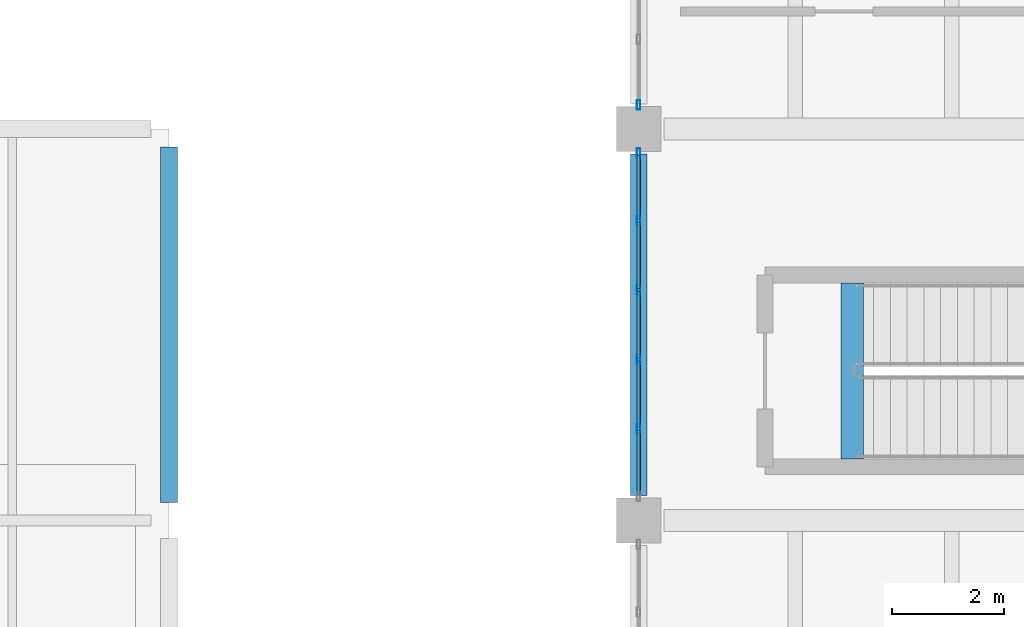
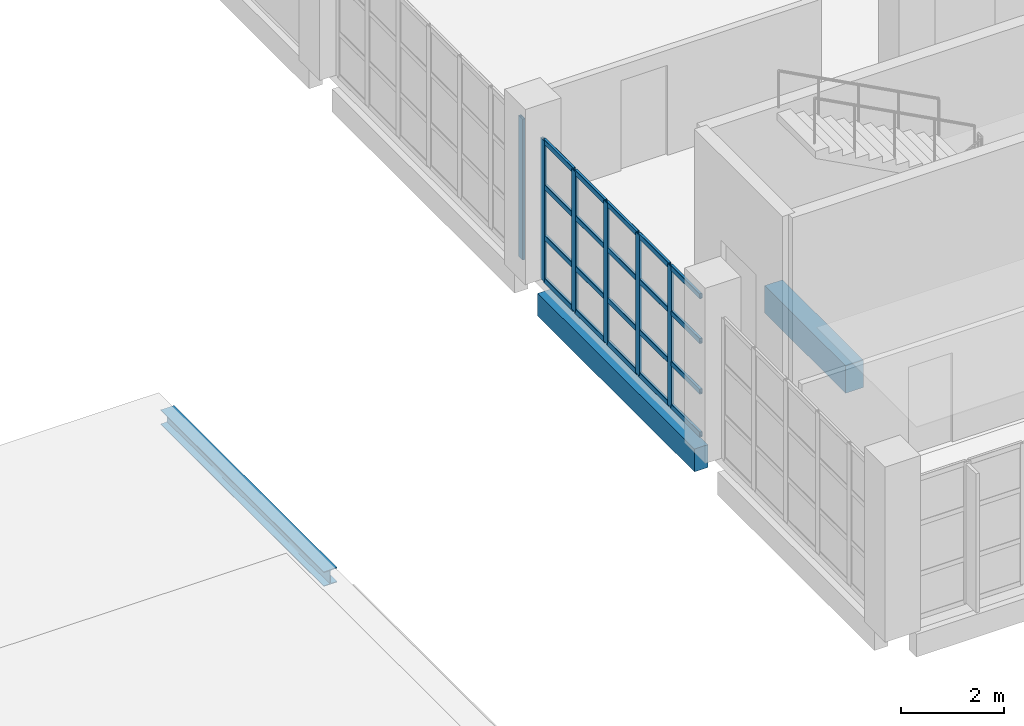
# One storey, part 15 of 177: 26 members, 3 beams, 2 elements without a shape of their own.
"""IFC4 building model written with IfcOpenShell, lengths in metres."""

import ifcopenshell
import ifcopenshell.guid

model = None  # the IFC model being written
_history = None  # IfcOwnerHistory: only IFC2X3 demands one
_inside = {}  # id of a spatial element -> (the spatial element, [elements in it])
_under = {}  # id of a project, library or spatial element -> (it, [spatial elements below it])
_declared = {}  # id of a project -> (the project, [libraries it declares])
_typed = {}  # id of a type object -> (the type object, [elements of that type])
_made_of = {}  # id of a material, layer set ... -> (it, [elements and type objects made of it])


def new_model(schema):
    """Start an empty IFC model of exactly this schema.

    Asked for "IFC4X3", IfcOpenShell would pick the latest addendum, in which some entities
    have other attributes; the version numbers below select the first issue.
    IFC2X3 requires an IfcOwnerHistory on every rooted entity: one is made here for all.
    """
    global model, _history
    if schema == "IFC4X3":
        model = ifcopenshell.file(schema_version=(4, 3, 0, 0))
    else:
        model = ifcopenshell.file(schema=schema)
    _inside.clear()
    _under.clear()
    _declared.clear()
    _typed.clear()
    _made_of.clear()
    _history = None
    if model.schema == "IFC2X3":
        org = make("IfcOrganization", Name="unknown")
        user = make(
            "IfcPersonAndOrganization",
            ThePerson=make("IfcPerson", FamilyName="unknown"),
            TheOrganization=org,
        )
        app = make(
            "IfcApplication",
            ApplicationDeveloper=org,
            Version="unknown",
            ApplicationFullName="unknown",
            ApplicationIdentifier="unknown",
        )
        _history = make(
            "IfcOwnerHistory",
            OwningUser=user,
            OwningApplication=app,
            ChangeAction="ADDED",
            CreationDate=0,
        )
    return model


def make(cls, **values):
    """One entity of the class cls with the attributes given. An attribute that is None is left unset."""
    return model.create_entity(
        cls, **{name: value for name, value in values.items() if value is not None}
    )


def rooted(cls, **values):
    """An entity with a GlobalId (a new one), such as an element, a storey or a relation."""
    return make(cls, GlobalId=ifcopenshell.guid.new(), OwnerHistory=_history, **values)


def si_unit(unit_type, name, prefix=None):
    """IfcSIUnit, for example si_unit("LENGTHUNIT", "METRE", prefix="MILLI")."""
    return make("IfcSIUnit", UnitType=unit_type, Prefix=prefix, Name=name)


def assignment(units):
    """IfcUnitAssignment: the units of a project."""
    return None if units is None else make("IfcUnitAssignment", Units=units)


def point(xyz):
    """IfcCartesianPoint."""
    return None if xyz is None else make("IfcCartesianPoint", Coordinates=xyz)


def direction(xyz):
    """IfcDirection."""
    return None if xyz is None else make("IfcDirection", DirectionRatios=xyz)


def frame(location, z_axis=None, x_axis=None):
    """IfcAxis2Placement3D, a coordinate frame: its origin and axes. An axis left out is left unset."""
    return make(
        "IfcAxis2Placement3D",
        Location=point(location),
        Axis=direction(z_axis),
        RefDirection=direction(x_axis),
    )


def frame_2d(location, x_axis=None):
    """IfcAxis2Placement2D, a coordinate frame in the plane: its origin and x axis."""
    return make(
        "IfcAxis2Placement2D", Location=point(location), RefDirection=direction(x_axis)
    )


def origin():
    """The frame at (0, 0, 0) with its axes left unset."""
    return frame((0.0, 0.0, 0.0))


def origin_2d():
    """The frame at (0, 0) in the plane with its x axis left unset."""
    return frame_2d((0.0, 0.0))


def place(relative_to, where):
    """IfcLocalPlacement: puts the frame where relative to a parent placement (None: the world)."""
    return make(
        "IfcLocalPlacement", PlacementRelTo=relative_to, RelativePlacement=where
    )


def context(
    kind, dimensions, precision=None, world=None, true_north=None, identifier=None
):
    """IfcGeometricRepresentationContext, for example the 3D "Model" context."""
    return make(
        "IfcGeometricRepresentationContext",
        ContextIdentifier=identifier,
        ContextType=kind,
        CoordinateSpaceDimension=dimensions,
        Precision=precision,
        WorldCoordinateSystem=world,
        TrueNorth=true_north,
    )


def subcontext(parent, identifier, kind, view, scale=None):
    """IfcGeometricRepresentationSubContext, for example "Body" below "Model"."""
    return make(
        "IfcGeometricRepresentationSubContext",
        ContextIdentifier=identifier,
        ContextType=kind,
        ParentContext=parent,
        TargetScale=scale,
        TargetView=view,
    )


def project(units=None, contexts=None):
    """IfcProject with its units and contexts."""
    return rooted(
        "IfcProject",
        Name="project",
        RepresentationContexts=contexts,
        UnitsInContext=assignment(units),
    )


def spatial(cls, under=None, at=None, **own):
    """A site, building, storey or space (cls), placed at a placement, below another one or the project."""
    s = rooted(cls, ObjectPlacement=at, **own)
    if under is not None:
        _under.setdefault(under.id(), (under, []))[1].append(s)
    return s


def profile(cls, at=None, kind="AREA", **sizes):
    """A parametric profile (cls). Its sizes go by their IFC names, for example OverallWidth=200.0."""
    return make(cls, ProfileType=kind, Position=at, **sizes)


def rectangle(**sizes):
    """IfcRectangleProfileDef."""
    return profile("IfcRectangleProfileDef", **sizes)


def hollow_rectangle(**sizes):
    """IfcRectangleHollowProfileDef."""
    return profile("IfcRectangleHollowProfileDef", **sizes)


def i_section(**sizes):
    """IfcIShapeProfileDef."""
    return profile("IfcIShapeProfileDef", **sizes)


def extrude(swept, where, along, depth):
    """IfcExtrudedAreaSolid: the profile swept, set in the frame where, extruded along a direction by depth."""
    return make(
        "IfcExtrudedAreaSolid",
        SweptArea=swept,
        Position=where,
        ExtrudedDirection=direction(along),
        Depth=depth,
    )


def shape(context_of_items, identifier, shape_type, items):
    """IfcShapeRepresentation: the items that make up one representation, for example the "Body"."""
    return make(
        "IfcShapeRepresentation",
        ContextOfItems=context_of_items,
        RepresentationIdentifier=identifier,
        RepresentationType=shape_type,
        Items=items,
    )


def material(Name=None, Category=None):
    """IfcMaterial."""
    return make("IfcMaterial", Name=Name, Category=Category)


def layer(
    of_material, thickness, ventilated=None, Name=None, Category=None, Priority=None
):
    """IfcMaterialLayer: one layer of a wall or slab, of a material (None: an air gap)."""
    return make(
        "IfcMaterialLayer",
        Material=of_material,
        LayerThickness=thickness,
        IsVentilated=ventilated,
        Name=Name,
        Category=Category,
        Priority=Priority,
    )


def layer_set(layers, Name=None):
    """IfcMaterialLayerSet."""
    return make("IfcMaterialLayerSet", MaterialLayers=layers, LayerSetName=Name)


def material_profile(
    of_material, cross_section, Name=None, Category=None, Priority=None
):
    """IfcMaterialProfile: a cross section and its material."""
    return make(
        "IfcMaterialProfile",
        Name=Name,
        Material=of_material,
        Profile=cross_section,
        Priority=Priority,
        Category=Category,
    )


def profile_set(profiles, Name=None, composite=None):
    """IfcMaterialProfileSet."""
    return make(
        "IfcMaterialProfileSet",
        Name=Name,
        MaterialProfiles=profiles,
        CompositeProfile=composite,
    )


def made_of(thing, what):
    """Note that an element or type object is made of a material, layer set ...; save() writes the relation."""
    if what is not None:
        _made_of.setdefault(what.id(), (what, []))[1].append(thing)
    return thing


def type_object(cls, material=None, **own):
    """A type object (cls), such as IfcWallType, which elements share."""
    return made_of(rooted(cls, **own), material)


def element(
    cls,
    number,
    at=None,
    inside=None,
    cuts=None,
    type_object=None,
    material=None,
    context=None,
    identifier="Body",
    shape_type=None,
    held_by="IfcProductDefinitionShape",
    body=None,
    shapes=None,
    **own,
):
    """One element of the class cls, such as IfcWall. Its Tag is "e" and its number.

    at: its placement. inside: the storey or other place that contains it. cuts: it is an
    opening in that element (IfcRelVoidsElement). A single representation is given by context,
    identifier, shape_type and body (its items); several are given by shapes. held_by: the class
    of the entity that holds the representations. save() writes the other relations.
    """
    e = rooted(cls, Tag="e%d" % number, ObjectPlacement=at, **own)
    if body is not None:
        shapes = [shape(context, identifier, shape_type, body)]
    if shapes is not None:
        e.Representation = make(held_by, Representations=shapes)
    if inside is not None:
        _inside.setdefault(inside.id(), (inside, []))[1].append(e)
    if cuts is not None:
        rooted(
            "IfcRelVoidsElement", RelatingBuildingElement=cuts, RelatedOpeningElement=e
        )
    if type_object is not None:
        _typed.setdefault(type_object.id(), (type_object, []))[1].append(e)
    return made_of(e, material)


def aggregate(whole, parts):
    """IfcRelAggregates: a whole, such as a stair, and the parts it consists of."""
    return rooted("IfcRelAggregates", RelatingObject=whole, RelatedObjects=parts)


def save(model, path):
    """Write the relations noted so far, then the file.

    IfcRelAggregates (storeys below a building ...), IfcRelContainedInSpatialStructure (elements
    in a storey), IfcRelDefinesByType, IfcRelAssociatesMaterial and IfcRelDeclares: one each for
    every whole, place, type object, material and project.
    """
    for whole, parts in _under.values():
        aggregate(whole, parts)
    for where, things in _inside.values():
        rooted(
            "IfcRelContainedInSpatialStructure",
            RelatedElements=things,
            RelatingStructure=where,
        )
    for kind, things in _typed.values():
        rooted("IfcRelDefinesByType", RelatedObjects=things, RelatingType=kind)
    for what, things in _made_of.values():
        rooted("IfcRelAssociatesMaterial", RelatedObjects=things, RelatingMaterial=what)
    for by, libraries in _declared.values():
        rooted("IfcRelDeclares", RelatingContext=by, RelatedDefinitions=libraries)
    model.write(path)


model = new_model("IFC4")

# Units and contexts
model_context = context("Model", 3, precision=1e-05, world=origin(), true_north=direction((0.0, 1.0)))
body_context = subcontext(model_context, "Body", "Model", "MODEL_VIEW")
ifc_project = project(units=[si_unit("LENGTHUNIT", "METRE"), si_unit("AREAUNIT", "SQUARE_METRE"), si_unit("VOLUMEUNIT", "CUBIC_METRE"), si_unit("PLANEANGLEUNIT", "RADIAN"), si_unit("MASSUNIT", "GRAM", prefix="KILO"), si_unit("THERMODYNAMICTEMPERATUREUNIT", "KELVIN"), si_unit("POWERUNIT", "WATT")], contexts=[model_context])

# Site, building, storey
site_placement = place(None, origin())
site = spatial("IfcSite", under=ifc_project, at=site_placement, CompositionType="ELEMENT")
building_placement = place(site_placement, origin())
building = spatial("IfcBuilding", under=site, at=building_placement, Name="Mavoryth Pier Ferry Terminal", CompositionType="ELEMENT")
storey_placement = place(building_placement, frame((0.0, 0.0, 5.43994140625)))
storey = spatial("IfcBuildingStorey", under=building, at=storey_placement, Name="L01", CompositionType="ELEMENT", Elevation=5.43994140625)

# Beam
ifc_material_1 = material(Name="Concrete C35/45", Category="concrete")
ifc_material_profile_1 = material_profile(ifc_material_1, rectangle(XDim=0.39990234375, YDim=0.64990234375, at=origin_2d()), Name="RC 400x650", Category="concrete")
ifc_profile_set_1 = profile_set([ifc_material_profile_1], Name="Concrete C35/45 - RC 400x650")
beam_type_1 = type_object("IfcBeamType", Name="Girder-RC-400x650", PredefinedType="BEAM", material=ifc_profile_set_1)
beam_1_placement = place(storey_placement, frame((45.820068359375, 8.10009765625, -0.324951171875), z_axis=(0.0, 1.0, 0.0), x_axis=(-1.0, 0.0, 0.0)))
element("IfcBeam", 1, at=beam_1_placement, inside=storey, type_object=beam_type_1, Name="Beam B01-BG05-1584", PredefinedType="BEAM", context=body_context, shape_type="SweptSolid", body=[
    extrude(rectangle(XDim=0.39990234375, YDim=0.64990234375, at=origin_2d()), origin(), (0.0, 0.0, 1.0), 3.14990234375),
])

# Curtain wall, members
ifc_material_2 = material(Name="Anodised Aluminium and Solar-Control Low-E Glass", Category="aluminium")
ifc_layer = layer(ifc_material_2, 0.239990234375, Name="Anodised Aluminium and Solar-Control Low-E Glass", Category="aluminium")
ifc_layer_set = layer_set([ifc_layer], Name="Anodised Aluminium and Solar-Control Low-E Glass - CW-Operations-Mod1200")
curtain_wall_type = type_object("IfcCurtainWallType", Name="CW-Operations-Mod1200", PredefinedType="USERDEFINED", material=ifc_layer_set)
curtain_wall_1_placement = place(storey_placement, origin())
curtain_wall_1 = element("IfcCurtainWall", 2, at=curtain_wall_1_placement, inside=storey, type_object=curtain_wall_type, Name="Curtain Wall CW-0122-121", ObjectType="UNITISED CURTAIN WALL", PredefinedType="USERDEFINED")
ifc_material_3 = material(Name="Anodised Aluminium EN AW-6063", Category="aluminium")
ifc_material_profile_2 = material_profile(ifc_material_3, hollow_rectangle(XDim=0.06005859375, YDim=0.1650390625, WallThickness=0.00390625, InnerFilletRadius=0.00390625, OuterFilletRadius=0.008056640625, at=origin_2d()), Name="AL-MULL 165x60x4", Category="aluminium")
ifc_profile_set_2 = profile_set([ifc_material_profile_2], Name="Anodised Aluminium EN AW-6063 - AL-MULL 165x60x4")
member_type_1 = type_object("IfcMemberType", Name="Mullion-Alum-165x60", PredefinedType="MULLION", material=ifc_profile_set_2)
member_1_placement = place(storey_placement, frame((42.0, 13.570068359375, 0.0), z_axis=(0.0, 0.0, 1.0), x_axis=(1.0, 0.0, 0.0)))
member_1 = element("IfcMember", 3, at=member_1_placement, type_object=member_type_1, Name="CW06 mullion 1", PredefinedType="MULLION", context=body_context, shape_type="SweptSolid", body=[
    extrude(hollow_rectangle(XDim=0.06005859375, YDim=0.1650390625, WallThickness=0.00390625, InnerFilletRadius=0.00390625, OuterFilletRadius=0.008056640625, at=origin_2d()), origin(), (0.0, 0.0, 1.0), 3.344970703125),
])
member_2_placement = place(storey_placement, frame((42.0, 12.360107421875, 0.0), z_axis=(0.0, 0.0, 1.0), x_axis=(1.0, 0.0, 0.0)))
member_2 = element("IfcMember", 4, at=member_2_placement, type_object=member_type_1, Name="CW06 mullion 2", PredefinedType="MULLION", context=body_context, shape_type="SweptSolid", body=[
    extrude(hollow_rectangle(XDim=0.06005859375, YDim=0.1650390625, WallThickness=0.00390625, InnerFilletRadius=0.00390625, OuterFilletRadius=0.008056640625, at=origin_2d()), origin(), (0.0, 0.0, 1.0), 3.344970703125),
])
member_3_placement = place(storey_placement, frame((42.0, 11.1201171875, 0.0), z_axis=(0.0, 0.0, 1.0), x_axis=(1.0, 0.0, 0.0)))
member_3 = element("IfcMember", 5, at=member_3_placement, type_object=member_type_1, Name="CW06 mullion 3", PredefinedType="MULLION", context=body_context, shape_type="SweptSolid", body=[
    extrude(hollow_rectangle(XDim=0.06005859375, YDim=0.1650390625, WallThickness=0.00390625, InnerFilletRadius=0.00390625, OuterFilletRadius=0.008056640625, at=origin_2d()), origin(), (0.0, 0.0, 1.0), 3.344970703125),
])
member_4_placement = place(storey_placement, frame((42.0, 9.8798828125, 0.0), z_axis=(0.0, 0.0, 1.0), x_axis=(1.0, 0.0, 0.0)))
member_4 = element("IfcMember", 6, at=member_4_placement, type_object=member_type_1, Name="CW06 mullion 4", PredefinedType="MULLION", context=body_context, shape_type="SweptSolid", body=[
    extrude(hollow_rectangle(XDim=0.06005859375, YDim=0.1650390625, WallThickness=0.00390625, InnerFilletRadius=0.00390625, OuterFilletRadius=0.008056640625, at=origin_2d()), origin(), (0.0, 0.0, 1.0), 3.344970703125),
])
member_5_placement = place(storey_placement, frame((42.0, 8.639892578125, 0.0), z_axis=(0.0, 0.0, 1.0), x_axis=(1.0, 0.0, 0.0)))
member_5 = element("IfcMember", 7, at=member_5_placement, type_object=member_type_1, Name="CW06 mullion 5", PredefinedType="MULLION", context=body_context, shape_type="SweptSolid", body=[
    extrude(hollow_rectangle(XDim=0.06005859375, YDim=0.1650390625, WallThickness=0.00390625, InnerFilletRadius=0.00390625, OuterFilletRadius=0.008056640625, at=origin_2d()), origin(), (0.0, 0.0, 1.0), 3.344970703125),
])

# Curtain wall, member
curtain_wall_2_placement = place(storey_placement, origin())
curtain_wall_2 = element("IfcCurtainWall", 8, at=curtain_wall_2_placement, inside=storey, type_object=curtain_wall_type, Name="Curtain Wall CW-0122-122", ObjectType="UNITISED CURTAIN WALL", PredefinedType="USERDEFINED")
member_6_placement = place(storey_placement, frame((42.0, 14.429931640625, 0.0), z_axis=(0.0, 0.0, 1.0), x_axis=(1.0, 0.0, 0.0)))
member_6 = element("IfcMember", 9, at=member_6_placement, type_object=member_type_1, Name="CW06 mullion 7", PredefinedType="MULLION", context=body_context, shape_type="SweptSolid", body=[
    extrude(hollow_rectangle(XDim=0.06005859375, YDim=0.1650390625, WallThickness=0.00390625, InnerFilletRadius=0.00390625, OuterFilletRadius=0.008056640625, at=origin_2d()), origin(), (0.0, 0.0, 1.0), 3.344970703125),
])
aggregate(curtain_wall_2, [member_6])

# Beams
ifc_material_profile_3 = material_profile(ifc_material_1, rectangle(XDim=0.300048828125, YDim=0.5400390625, at=origin_2d()), Name="RC 300x540", Category="concrete")
ifc_profile_set_3 = profile_set([ifc_material_profile_3], Name="Concrete C35/45 - RC 300x540")
beam_type_2 = type_object("IfcBeamType", Name="Spandrel-RC-300x540", PredefinedType="SPANDREL", material=ifc_profile_set_3)
beam_2_placement = place(storey_placement, frame((42.0, 7.449951171875, -0.530029296875), z_axis=(0.0, 1.0, 0.0), x_axis=(-1.0, 0.0, 0.0)))
element("IfcBeam", 10, at=beam_2_placement, inside=storey, type_object=beam_type_2, Name="Beam B01-SP02-0535", PredefinedType="SPANDREL", context=body_context, shape_type="SweptSolid", body=[
    extrude(rectangle(XDim=0.300048828125, YDim=0.5400390625, at=origin_2d()), origin(), (0.0, 0.0, 1.0), 6.10009765625),
])
ifc_material_4 = material(Name="Steel S355J2", Category="steel")
ifc_material_profile_4 = material_profile(ifc_material_4, i_section(OverallWidth=0.300048828125, OverallDepth=0.35009765625, WebThickness=0.010009765625, FlangeThickness=0.017578125, FilletRadius=0.027099609375, at=origin_2d()), Name="HEA 360", Category="steel")
ifc_profile_set_4 = profile_set([ifc_material_profile_4], Name="Steel S355J2 - HEA 360")
beam_type_3 = type_object("IfcBeamType", Name="Spandrel-Steel-HEA360", PredefinedType="SPANDREL", material=ifc_profile_set_4)
beam_3_placement = place(storey_placement, frame((33.60009765625, 7.324951171875, -0.3349609375), z_axis=(0.0, 1.0, 0.0), x_axis=(-1.0, 0.0, 0.0)))
element("IfcBeam", 11, at=beam_3_placement, inside=storey, type_object=beam_type_3, Name="Beam B01-SP03-0022", PredefinedType="SPANDREL", context=body_context, shape_type="SweptSolid", body=[
    extrude(i_section(OverallWidth=0.300048828125, OverallDepth=0.35009765625, WebThickness=0.010009765625, FlangeThickness=0.017578125, FilletRadius=0.027099609375, at=origin_2d()), origin(), (0.0, 0.0, 1.0), 6.35009765625),
])

# Member
ifc_material_profile_5 = material_profile(ifc_material_3, hollow_rectangle(XDim=0.06005859375, YDim=0.125, WallThickness=0.00390625, InnerFilletRadius=0.00390625, OuterFilletRadius=0.008056640625, at=origin_2d()), Name="AL-TRAN 125x60x4", Category="aluminium")
ifc_profile_set_5 = profile_set([ifc_material_profile_5], Name="Anodised Aluminium EN AW-6063 - AL-TRAN 125x60x4")
member_type_2 = type_object("IfcMemberType", Name="Transom-Alum-125x60", PredefinedType="USERDEFINED", material=ifc_profile_set_5)
member_7_placement = place(storey_placement, frame((42.0, 13.5400390625, 0.030029296875), z_axis=(0.0, -1.0, 0.0), x_axis=(1.0, 0.0, 0.0)))
member_7 = element("IfcMember", 12, at=member_7_placement, type_object=member_type_2, Name="CW06 transom 1.1", ObjectType="TRANSOM", PredefinedType="USERDEFINED", context=body_context, shape_type="SweptSolid", body=[
    extrude(hollow_rectangle(XDim=0.06005859375, YDim=0.125, WallThickness=0.00390625, InnerFilletRadius=0.00390625, OuterFilletRadius=0.008056640625, at=origin_2d()), origin(), (0.0, 0.0, 1.0), 1.150146484375),
])

member_8_placement = place(storey_placement, frame((42.0, 13.5400390625, 1.050048828125), z_axis=(0.0, -1.0, 0.0), x_axis=(1.0, 0.0, 0.0)))
member_8 = element("IfcMember", 13, at=member_8_placement, type_object=member_type_2, Name="CW06 transom 1.2", ObjectType="TRANSOM", PredefinedType="USERDEFINED", context=body_context, shape_type="SweptSolid", body=[
    extrude(hollow_rectangle(XDim=0.06005859375, YDim=0.125, WallThickness=0.00390625, InnerFilletRadius=0.00390625, OuterFilletRadius=0.008056640625, at=origin_2d()), origin(), (0.0, 0.0, 1.0), 1.150146484375),
])

member_9_placement = place(storey_placement, frame((42.0, 13.5400390625, 2.25), z_axis=(0.0, -1.0, 0.0), x_axis=(1.0, 0.0, 0.0)))
member_9 = element("IfcMember", 14, at=member_9_placement, type_object=member_type_2, Name="CW06 transom 1.3", ObjectType="TRANSOM", PredefinedType="USERDEFINED", context=body_context, shape_type="SweptSolid", body=[
    extrude(hollow_rectangle(XDim=0.06005859375, YDim=0.125, WallThickness=0.00390625, InnerFilletRadius=0.00390625, OuterFilletRadius=0.008056640625, at=origin_2d()), origin(), (0.0, 0.0, 1.0), 1.150146484375),
])

member_10_placement = place(storey_placement, frame((42.0, 13.5400390625, 3.31494140625), z_axis=(0.0, -1.0, 0.0), x_axis=(1.0, 0.0, 0.0)))
member_10 = element("IfcMember", 15, at=member_10_placement, type_object=member_type_2, Name="CW06 transom 1.4", ObjectType="TRANSOM", PredefinedType="USERDEFINED", context=body_context, shape_type="SweptSolid", body=[
    extrude(hollow_rectangle(XDim=0.06005859375, YDim=0.125, WallThickness=0.00390625, InnerFilletRadius=0.00390625, OuterFilletRadius=0.008056640625, at=origin_2d()), origin(), (0.0, 0.0, 1.0), 1.150146484375),
])

member_11_placement = place(storey_placement, frame((42.0, 12.330078125, 0.030029296875), z_axis=(0.0, -1.0, 0.0), x_axis=(1.0, 0.0, 0.0)))
member_11 = element("IfcMember", 16, at=member_11_placement, type_object=member_type_2, Name="CW06 transom 2.1", ObjectType="TRANSOM", PredefinedType="USERDEFINED", context=body_context, shape_type="SweptSolid", body=[
    extrude(hollow_rectangle(XDim=0.06005859375, YDim=0.125, WallThickness=0.00390625, InnerFilletRadius=0.00390625, OuterFilletRadius=0.008056640625, at=origin_2d()), origin(), (0.0, 0.0, 1.0), 1.18017578125),
])

member_12_placement = place(storey_placement, frame((42.0, 12.330078125, 1.050048828125), z_axis=(0.0, -1.0, 0.0), x_axis=(1.0, 0.0, 0.0)))
member_12 = element("IfcMember", 17, at=member_12_placement, type_object=member_type_2, Name="CW06 transom 2.2", ObjectType="TRANSOM", PredefinedType="USERDEFINED", context=body_context, shape_type="SweptSolid", body=[
    extrude(hollow_rectangle(XDim=0.06005859375, YDim=0.125, WallThickness=0.00390625, InnerFilletRadius=0.00390625, OuterFilletRadius=0.008056640625, at=origin_2d()), origin(), (0.0, 0.0, 1.0), 1.18017578125),
])

member_13_placement = place(storey_placement, frame((42.0, 12.330078125, 2.25), z_axis=(0.0, -1.0, 0.0), x_axis=(1.0, 0.0, 0.0)))
member_13 = element("IfcMember", 18, at=member_13_placement, type_object=member_type_2, Name="CW06 transom 2.3", ObjectType="TRANSOM", PredefinedType="USERDEFINED", context=body_context, shape_type="SweptSolid", body=[
    extrude(hollow_rectangle(XDim=0.06005859375, YDim=0.125, WallThickness=0.00390625, InnerFilletRadius=0.00390625, OuterFilletRadius=0.008056640625, at=origin_2d()), origin(), (0.0, 0.0, 1.0), 1.18017578125),
])

member_14_placement = place(storey_placement, frame((42.0, 12.330078125, 3.31494140625), z_axis=(0.0, -1.0, 0.0), x_axis=(1.0, 0.0, 0.0)))
member_14 = element("IfcMember", 19, at=member_14_placement, type_object=member_type_2, Name="CW06 transom 2.4", ObjectType="TRANSOM", PredefinedType="USERDEFINED", context=body_context, shape_type="SweptSolid", body=[
    extrude(hollow_rectangle(XDim=0.06005859375, YDim=0.125, WallThickness=0.00390625, InnerFilletRadius=0.00390625, OuterFilletRadius=0.008056640625, at=origin_2d()), origin(), (0.0, 0.0, 1.0), 1.18017578125),
])

member_15_placement = place(storey_placement, frame((42.0, 11.090087890625, 0.030029296875), z_axis=(0.0, -1.0, 0.0), x_axis=(1.0, 0.0, 0.0)))
member_15 = element("IfcMember", 20, at=member_15_placement, type_object=member_type_2, Name="CW06 transom 3.1", ObjectType="TRANSOM", PredefinedType="USERDEFINED", context=body_context, shape_type="SweptSolid", body=[
    extrude(hollow_rectangle(XDim=0.06005859375, YDim=0.125, WallThickness=0.00390625, InnerFilletRadius=0.00390625, OuterFilletRadius=0.008056640625, at=origin_2d()), origin(), (0.0, 0.0, 1.0), 1.18017578125),
])

member_16_placement = place(storey_placement, frame((42.0, 11.090087890625, 1.050048828125), z_axis=(0.0, -1.0, 0.0), x_axis=(1.0, 0.0, 0.0)))
member_16 = element("IfcMember", 21, at=member_16_placement, type_object=member_type_2, Name="CW06 transom 3.2", ObjectType="TRANSOM", PredefinedType="USERDEFINED", context=body_context, shape_type="SweptSolid", body=[
    extrude(hollow_rectangle(XDim=0.06005859375, YDim=0.125, WallThickness=0.00390625, InnerFilletRadius=0.00390625, OuterFilletRadius=0.008056640625, at=origin_2d()), origin(), (0.0, 0.0, 1.0), 1.18017578125),
])

member_17_placement = place(storey_placement, frame((42.0, 11.090087890625, 2.25), z_axis=(0.0, -1.0, 0.0), x_axis=(1.0, 0.0, 0.0)))
member_17 = element("IfcMember", 22, at=member_17_placement, type_object=member_type_2, Name="CW06 transom 3.3", ObjectType="TRANSOM", PredefinedType="USERDEFINED", context=body_context, shape_type="SweptSolid", body=[
    extrude(hollow_rectangle(XDim=0.06005859375, YDim=0.125, WallThickness=0.00390625, InnerFilletRadius=0.00390625, OuterFilletRadius=0.008056640625, at=origin_2d()), origin(), (0.0, 0.0, 1.0), 1.18017578125),
])

member_18_placement = place(storey_placement, frame((42.0, 11.090087890625, 3.31494140625), z_axis=(0.0, -1.0, 0.0), x_axis=(1.0, 0.0, 0.0)))
member_18 = element("IfcMember", 23, at=member_18_placement, type_object=member_type_2, Name="CW06 transom 3.4", ObjectType="TRANSOM", PredefinedType="USERDEFINED", context=body_context, shape_type="SweptSolid", body=[
    extrude(hollow_rectangle(XDim=0.06005859375, YDim=0.125, WallThickness=0.00390625, InnerFilletRadius=0.00390625, OuterFilletRadius=0.008056640625, at=origin_2d()), origin(), (0.0, 0.0, 1.0), 1.18017578125),
])

member_19_placement = place(storey_placement, frame((42.0, 9.85009765625, 0.030029296875), z_axis=(0.0, -1.0, 0.0), x_axis=(1.0, 0.0, 0.0)))
member_19 = element("IfcMember", 24, at=member_19_placement, type_object=member_type_2, Name="CW06 transom 4.1", ObjectType="TRANSOM", PredefinedType="USERDEFINED", context=body_context, shape_type="SweptSolid", body=[
    extrude(hollow_rectangle(XDim=0.06005859375, YDim=0.125, WallThickness=0.00390625, InnerFilletRadius=0.00390625, OuterFilletRadius=0.008056640625, at=origin_2d()), origin(), (0.0, 0.0, 1.0), 1.18017578125),
])

member_20_placement = place(storey_placement, frame((42.0, 9.85009765625, 1.050048828125), z_axis=(0.0, -1.0, 0.0), x_axis=(1.0, 0.0, 0.0)))
member_20 = element("IfcMember", 25, at=member_20_placement, type_object=member_type_2, Name="CW06 transom 4.2", ObjectType="TRANSOM", PredefinedType="USERDEFINED", context=body_context, shape_type="SweptSolid", body=[
    extrude(hollow_rectangle(XDim=0.06005859375, YDim=0.125, WallThickness=0.00390625, InnerFilletRadius=0.00390625, OuterFilletRadius=0.008056640625, at=origin_2d()), origin(), (0.0, 0.0, 1.0), 1.18017578125),
])

member_21_placement = place(storey_placement, frame((42.0, 9.85009765625, 2.25), z_axis=(0.0, -1.0, 0.0), x_axis=(1.0, 0.0, 0.0)))
member_21 = element("IfcMember", 26, at=member_21_placement, type_object=member_type_2, Name="CW06 transom 4.3", ObjectType="TRANSOM", PredefinedType="USERDEFINED", context=body_context, shape_type="SweptSolid", body=[
    extrude(hollow_rectangle(XDim=0.06005859375, YDim=0.125, WallThickness=0.00390625, InnerFilletRadius=0.00390625, OuterFilletRadius=0.008056640625, at=origin_2d()), origin(), (0.0, 0.0, 1.0), 1.18017578125),
])

member_22_placement = place(storey_placement, frame((42.0, 9.85009765625, 3.31494140625), z_axis=(0.0, -1.0, 0.0), x_axis=(1.0, 0.0, 0.0)))
member_22 = element("IfcMember", 27, at=member_22_placement, type_object=member_type_2, Name="CW06 transom 4.4", ObjectType="TRANSOM", PredefinedType="USERDEFINED", context=body_context, shape_type="SweptSolid", body=[
    extrude(hollow_rectangle(XDim=0.06005859375, YDim=0.125, WallThickness=0.00390625, InnerFilletRadius=0.00390625, OuterFilletRadius=0.008056640625, at=origin_2d()), origin(), (0.0, 0.0, 1.0), 1.18017578125),
])

member_23_placement = place(storey_placement, frame((42.0, 8.610107421875, 0.030029296875), z_axis=(0.0, -1.0, 0.0), x_axis=(1.0, 0.0, 0.0)))
member_23 = element("IfcMember", 28, at=member_23_placement, type_object=member_type_2, Name="CW06 transom 5.1", ObjectType="TRANSOM", PredefinedType="USERDEFINED", context=body_context, shape_type="SweptSolid", body=[
    extrude(hollow_rectangle(XDim=0.06005859375, YDim=0.125, WallThickness=0.00390625, InnerFilletRadius=0.00390625, OuterFilletRadius=0.008056640625, at=origin_2d()), origin(), (0.0, 0.0, 1.0), 1.150146484375),
])

member_24_placement = place(storey_placement, frame((42.0, 8.610107421875, 1.050048828125), z_axis=(0.0, -1.0, 0.0), x_axis=(1.0, 0.0, 0.0)))
member_24 = element("IfcMember", 29, at=member_24_placement, type_object=member_type_2, Name="CW06 transom 5.2", ObjectType="TRANSOM", PredefinedType="USERDEFINED", context=body_context, shape_type="SweptSolid", body=[
    extrude(hollow_rectangle(XDim=0.06005859375, YDim=0.125, WallThickness=0.00390625, InnerFilletRadius=0.00390625, OuterFilletRadius=0.008056640625, at=origin_2d()), origin(), (0.0, 0.0, 1.0), 1.150146484375),
])

member_25_placement = place(storey_placement, frame((42.0, 8.610107421875, 2.25), z_axis=(0.0, -1.0, 0.0), x_axis=(1.0, 0.0, 0.0)))
member_25 = element("IfcMember", 30, at=member_25_placement, type_object=member_type_2, Name="CW06 transom 5.3", ObjectType="TRANSOM", PredefinedType="USERDEFINED", context=body_context, shape_type="SweptSolid", body=[
    extrude(hollow_rectangle(XDim=0.06005859375, YDim=0.125, WallThickness=0.00390625, InnerFilletRadius=0.00390625, OuterFilletRadius=0.008056640625, at=origin_2d()), origin(), (0.0, 0.0, 1.0), 1.150146484375),
])

member_26_placement = place(storey_placement, frame((42.0, 8.610107421875, 3.31494140625), z_axis=(0.0, -1.0, 0.0), x_axis=(1.0, 0.0, 0.0)))
member_26 = element("IfcMember", 31, at=member_26_placement, type_object=member_type_2, Name="CW06 transom 5.4", ObjectType="TRANSOM", PredefinedType="USERDEFINED", context=body_context, shape_type="SweptSolid", body=[
    extrude(hollow_rectangle(XDim=0.06005859375, YDim=0.125, WallThickness=0.00390625, InnerFilletRadius=0.00390625, OuterFilletRadius=0.008056640625, at=origin_2d()), origin(), (0.0, 0.0, 1.0), 1.150146484375),
])

aggregate(curtain_wall_1, [member_1, member_2, member_3, member_4, member_5, member_7, member_8, member_9, member_10, member_11, member_12, member_13, member_14, member_15, member_16, member_17, member_18, member_19, member_20, member_21, member_22, member_23, member_24, member_25, member_26])

save(model, "model.ifc")
